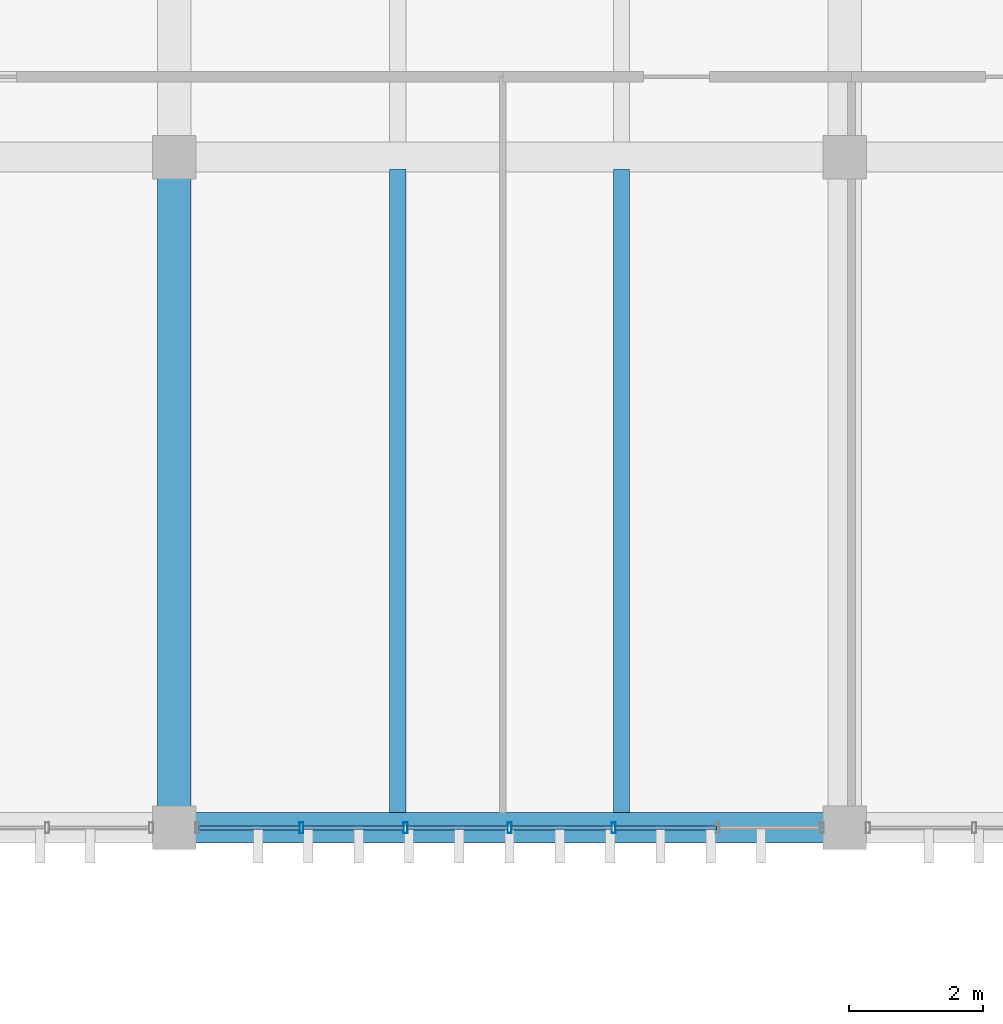
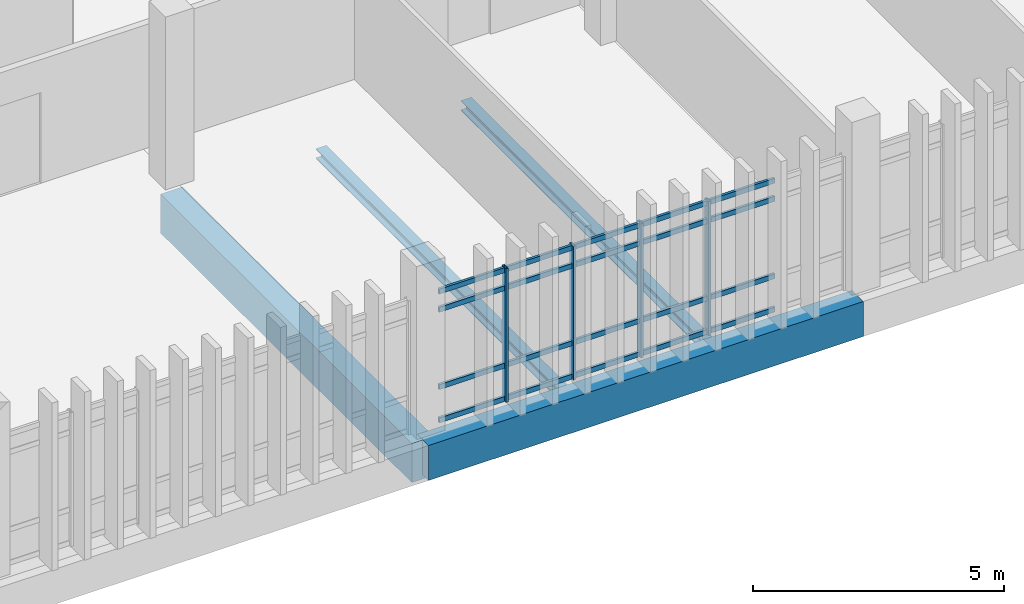
# One storey, part 26 of 82: 24 members, 4 beams, 1 element without a shape of its own.
"""IFC4 building model written with IfcOpenShell, lengths in metres."""

from ifc_helpers import new_model, si_unit, direction, frame, origin, origin_2d, place, context, subcontext, project, spatial, rectangle, hollow_rectangle, i_section, extrude, material, layer, layer_set, material_profile, profile_set, type_object, element, aggregate, save


model = new_model("IFC4")

# Units and contexts
model_context = context("Model", 3, precision=1e-05, world=origin(), true_north=direction((0.0, 1.0)))
body_context = subcontext(model_context, "Body", "Model", "MODEL_VIEW")
ifc_project = project(units=[si_unit("LENGTHUNIT", "METRE"), si_unit("AREAUNIT", "SQUARE_METRE"), si_unit("VOLUMEUNIT", "CUBIC_METRE"), si_unit("PLANEANGLEUNIT", "RADIAN"), si_unit("MASSUNIT", "GRAM", prefix="KILO")], contexts=[model_context])

# Site, building, storey
site_placement = place(None, origin())
site = spatial("IfcSite", under=ifc_project, at=site_placement, CompositionType="ELEMENT")
building_placement = place(site_placement, origin())
building = spatial("IfcBuilding", under=site, at=building_placement, Name="Mersad Railyard Sports Hall", CompositionType="ELEMENT")
storey_placement = place(building_placement, frame((0.0, 0.0, 13.199951171875)))
storey = spatial("IfcBuildingStorey", under=building, at=storey_placement, Name="L03", CompositionType="ELEMENT", Elevation=13.199951171875)

# Curtain wall, members
ifc_material_1 = material(Name="Aluminium 6063-T6", Category="aluminium")
ifc_layer = layer(ifc_material_1, 0.159912109375)
ifc_layer_set = layer_set([ifc_layer], Name="Aluminium 6063-T6")
curtain_wall_type = type_object("IfcCurtainWallType", Name="ARC-CW-CW60", PredefinedType="USERDEFINED", material=ifc_layer_set)
curtain_wall_placement = place(storey_placement, origin())
curtain_wall = element("IfcCurtainWall", 1, at=curtain_wall_placement, inside=storey, type_object=curtain_wall_type, Name="Curtain wall CW60-0160", ObjectType="CURTAIN WALL", PredefinedType="USERDEFINED")
ifc_material_profile_1 = material_profile(ifc_material_1, hollow_rectangle(XDim=0.06005859375, YDim=0.159912109375, WallThickness=0.00390625, at=origin_2d()), Name="AL MULLION 60x160x4")
ifc_profile_set_1 = profile_set([ifc_material_profile_1], Name="Aluminium 6063-T6")
member_type_1 = type_object("IfcMemberType", Name="ARC-CW-MUL01", PredefinedType="MULLION", material=ifc_profile_set_1)
member_1_placement = place(storey_placement, frame((117.5517578125, 85.0, -0.02001953125), z_axis=(0.0, 0.0, 1.0), x_axis=(1.0, 0.0, 0.0)))
member_1 = element("IfcMember", 2, at=member_1_placement, type_object=member_type_1, Name="CW60 Mullion 3", PredefinedType="MULLION", context=body_context, shape_type="SweptSolid", body=[
    extrude(hollow_rectangle(XDim=0.06005859375, YDim=0.159912109375, WallThickness=0.00390625, at=origin_2d()), origin(), (0.0, 0.0, 1.0), 3.25),
])
member_2_placement = place(storey_placement, frame((116.0, 85.0, -0.02001953125), z_axis=(0.0, 0.0, 1.0), x_axis=(1.0, 0.0, 0.0)))
member_2 = element("IfcMember", 3, at=member_2_placement, type_object=member_type_1, Name="CW60 Mullion 4", PredefinedType="MULLION", context=body_context, shape_type="SweptSolid", body=[
    extrude(hollow_rectangle(XDim=0.06005859375, YDim=0.159912109375, WallThickness=0.00390625, at=origin_2d()), origin(), (0.0, 0.0, 1.0), 3.25),
])
member_3_placement = place(storey_placement, frame((114.4482421875, 85.0, -0.02001953125), z_axis=(0.0, 0.0, 1.0), x_axis=(1.0, 0.0, 0.0)))
member_3 = element("IfcMember", 4, at=member_3_placement, type_object=member_type_1, Name="CW60 Mullion 5", PredefinedType="MULLION", context=body_context, shape_type="SweptSolid", body=[
    extrude(hollow_rectangle(XDim=0.06005859375, YDim=0.159912109375, WallThickness=0.00390625, at=origin_2d()), origin(), (0.0, 0.0, 1.0), 3.25),
])
member_4_placement = place(storey_placement, frame((112.896728515625, 85.0, -0.02001953125), z_axis=(0.0, 0.0, 1.0), x_axis=(1.0, 0.0, 0.0)))
member_4 = element("IfcMember", 5, at=member_4_placement, type_object=member_type_1, Name="CW60 Mullion 6", PredefinedType="MULLION", context=body_context, shape_type="SweptSolid", body=[
    extrude(hollow_rectangle(XDim=0.06005859375, YDim=0.159912109375, WallThickness=0.00390625, at=origin_2d()), origin(), (0.0, 0.0, 1.0), 3.25),
])
ifc_material_profile_2 = material_profile(ifc_material_1, hollow_rectangle(XDim=0.06005859375, YDim=0.1201171875, WallThickness=0.00390625, at=origin_2d()), Name="AL TRANSOM 60x120x4")
ifc_profile_set_2 = profile_set([ifc_material_profile_2], Name="Aluminium 6063-T6")
member_type_2 = type_object("IfcMemberType", Name="ARC-CW-TRN01", PredefinedType="USERDEFINED", material=ifc_profile_set_2)
member_5_placement = place(storey_placement, frame((119.083251953125, 85.0, 0.0400390625), z_axis=(-1.0, 0.0, 0.0), x_axis=(0.0, -1.0, 0.0)))
member_5 = element("IfcMember", 6, at=member_5_placement, type_object=member_type_2, Name="CW60 Transom 1-2", ObjectType="TRANSOM", PredefinedType="USERDEFINED", context=body_context, shape_type="SweptSolid", body=[
    extrude(hollow_rectangle(XDim=0.06005859375, YDim=0.1201171875, WallThickness=0.00390625, at=origin_2d()), origin(), (0.0, 0.0, 1.0), 1.511474609375),
])
member_6_placement = place(storey_placement, frame((117.53173828125, 85.0, 0.0400390625), z_axis=(-1.0, 0.0, 0.0), x_axis=(0.0, -1.0, 0.0)))
member_6 = element("IfcMember", 7, at=member_6_placement, type_object=member_type_2, Name="CW60 Transom 1-3", ObjectType="TRANSOM", PredefinedType="USERDEFINED", context=body_context, shape_type="SweptSolid", body=[
    extrude(hollow_rectangle(XDim=0.06005859375, YDim=0.1201171875, WallThickness=0.00390625, at=origin_2d()), origin(), (0.0, 0.0, 1.0), 1.51171875),
])
member_7_placement = place(storey_placement, frame((115.97998046875, 85.0, 0.0400390625), z_axis=(-1.0, 0.0, 0.0), x_axis=(0.0, -1.0, 0.0)))
member_7 = element("IfcMember", 8, at=member_7_placement, type_object=member_type_2, Name="CW60 Transom 1-4", ObjectType="TRANSOM", PredefinedType="USERDEFINED", context=body_context, shape_type="SweptSolid", body=[
    extrude(hollow_rectangle(XDim=0.06005859375, YDim=0.1201171875, WallThickness=0.00390625, at=origin_2d()), origin(), (0.0, 0.0, 1.0), 1.51171875),
])
member_8_placement = place(storey_placement, frame((114.42822265625, 85.0, 0.0400390625), z_axis=(-1.0, 0.0, 0.0), x_axis=(0.0, -1.0, 0.0)))
member_8 = element("IfcMember", 9, at=member_8_placement, type_object=member_type_2, Name="CW60 Transom 1-5", ObjectType="TRANSOM", PredefinedType="USERDEFINED", context=body_context, shape_type="SweptSolid", body=[
    extrude(hollow_rectangle(XDim=0.06005859375, YDim=0.1201171875, WallThickness=0.00390625, at=origin_2d()), origin(), (0.0, 0.0, 1.0), 1.511474609375),
])
member_9_placement = place(storey_placement, frame((112.876708984375, 85.0, 0.0400390625), z_axis=(-1.0, 0.0, 0.0), x_axis=(0.0, -1.0, 0.0)))
member_9 = element("IfcMember", 10, at=member_9_placement, type_object=member_type_2, Name="CW60 Transom 1-6", ObjectType="TRANSOM", PredefinedType="USERDEFINED", context=body_context, shape_type="SweptSolid", body=[
    extrude(hollow_rectangle(XDim=0.06005859375, YDim=0.1201171875, WallThickness=0.00390625, at=origin_2d()), origin(), (0.0, 0.0, 1.0), 1.51171875),
])
member_10_placement = place(storey_placement, frame((119.083251953125, 85.0, 0.85009765625), z_axis=(-1.0, 0.0, 0.0), x_axis=(0.0, -1.0, 0.0)))
member_10 = element("IfcMember", 11, at=member_10_placement, type_object=member_type_2, Name="CW60 Transom 2-2", ObjectType="TRANSOM", PredefinedType="USERDEFINED", context=body_context, shape_type="SweptSolid", body=[
    extrude(hollow_rectangle(XDim=0.06005859375, YDim=0.1201171875, WallThickness=0.00390625, at=origin_2d()), origin(), (0.0, 0.0, 1.0), 1.511474609375),
])
member_11_placement = place(storey_placement, frame((117.53173828125, 85.0, 0.85009765625), z_axis=(-1.0, 0.0, 0.0), x_axis=(0.0, -1.0, 0.0)))
member_11 = element("IfcMember", 12, at=member_11_placement, type_object=member_type_2, Name="CW60 Transom 2-3", ObjectType="TRANSOM", PredefinedType="USERDEFINED", context=body_context, shape_type="SweptSolid", body=[
    extrude(hollow_rectangle(XDim=0.06005859375, YDim=0.1201171875, WallThickness=0.00390625, at=origin_2d()), origin(), (0.0, 0.0, 1.0), 1.51171875),
])
member_12_placement = place(storey_placement, frame((115.97998046875, 85.0, 0.85009765625), z_axis=(-1.0, 0.0, 0.0), x_axis=(0.0, -1.0, 0.0)))
member_12 = element("IfcMember", 13, at=member_12_placement, type_object=member_type_2, Name="CW60 Transom 2-4", ObjectType="TRANSOM", PredefinedType="USERDEFINED", context=body_context, shape_type="SweptSolid", body=[
    extrude(hollow_rectangle(XDim=0.06005859375, YDim=0.1201171875, WallThickness=0.00390625, at=origin_2d()), origin(), (0.0, 0.0, 1.0), 1.51171875),
])
member_13_placement = place(storey_placement, frame((114.42822265625, 85.0, 0.85009765625), z_axis=(-1.0, 0.0, 0.0), x_axis=(0.0, -1.0, 0.0)))
member_13 = element("IfcMember", 14, at=member_13_placement, type_object=member_type_2, Name="CW60 Transom 2-5", ObjectType="TRANSOM", PredefinedType="USERDEFINED", context=body_context, shape_type="SweptSolid", body=[
    extrude(hollow_rectangle(XDim=0.06005859375, YDim=0.1201171875, WallThickness=0.00390625, at=origin_2d()), origin(), (0.0, 0.0, 1.0), 1.511474609375),
])
member_14_placement = place(storey_placement, frame((112.876708984375, 85.0, 0.85009765625), z_axis=(-1.0, 0.0, 0.0), x_axis=(0.0, -1.0, 0.0)))
member_14 = element("IfcMember", 15, at=member_14_placement, type_object=member_type_2, Name="CW60 Transom 2-6", ObjectType="TRANSOM", PredefinedType="USERDEFINED", context=body_context, shape_type="SweptSolid", body=[
    extrude(hollow_rectangle(XDim=0.06005859375, YDim=0.1201171875, WallThickness=0.00390625, at=origin_2d()), origin(), (0.0, 0.0, 1.0), 1.51171875),
])
member_15_placement = place(storey_placement, frame((119.083251953125, 85.0, 2.72998046875), z_axis=(-1.0, 0.0, 0.0), x_axis=(0.0, -1.0, 0.0)))
member_15 = element("IfcMember", 16, at=member_15_placement, type_object=member_type_2, Name="CW60 Transom 3-2", ObjectType="TRANSOM", PredefinedType="USERDEFINED", context=body_context, shape_type="SweptSolid", body=[
    extrude(hollow_rectangle(XDim=0.06005859375, YDim=0.1201171875, WallThickness=0.00390625, at=origin_2d()), origin(), (0.0, 0.0, 1.0), 1.511474609375),
])
member_16_placement = place(storey_placement, frame((117.53173828125, 85.0, 2.72998046875), z_axis=(-1.0, 0.0, 0.0), x_axis=(0.0, -1.0, 0.0)))
member_16 = element("IfcMember", 17, at=member_16_placement, type_object=member_type_2, Name="CW60 Transom 3-3", ObjectType="TRANSOM", PredefinedType="USERDEFINED", context=body_context, shape_type="SweptSolid", body=[
    extrude(hollow_rectangle(XDim=0.06005859375, YDim=0.1201171875, WallThickness=0.00390625, at=origin_2d()), origin(), (0.0, 0.0, 1.0), 1.51171875),
])
member_17_placement = place(storey_placement, frame((115.97998046875, 85.0, 2.72998046875), z_axis=(-1.0, 0.0, 0.0), x_axis=(0.0, -1.0, 0.0)))
member_17 = element("IfcMember", 18, at=member_17_placement, type_object=member_type_2, Name="CW60 Transom 3-4", ObjectType="TRANSOM", PredefinedType="USERDEFINED", context=body_context, shape_type="SweptSolid", body=[
    extrude(hollow_rectangle(XDim=0.06005859375, YDim=0.1201171875, WallThickness=0.00390625, at=origin_2d()), origin(), (0.0, 0.0, 1.0), 1.51171875),
])
member_18_placement = place(storey_placement, frame((114.42822265625, 85.0, 2.72998046875), z_axis=(-1.0, 0.0, 0.0), x_axis=(0.0, -1.0, 0.0)))
member_18 = element("IfcMember", 19, at=member_18_placement, type_object=member_type_2, Name="CW60 Transom 3-5", ObjectType="TRANSOM", PredefinedType="USERDEFINED", context=body_context, shape_type="SweptSolid", body=[
    extrude(hollow_rectangle(XDim=0.06005859375, YDim=0.1201171875, WallThickness=0.00390625, at=origin_2d()), origin(), (0.0, 0.0, 1.0), 1.511474609375),
])
member_19_placement = place(storey_placement, frame((112.876708984375, 85.0, 2.72998046875), z_axis=(-1.0, 0.0, 0.0), x_axis=(0.0, -1.0, 0.0)))
member_19 = element("IfcMember", 20, at=member_19_placement, type_object=member_type_2, Name="CW60 Transom 3-6", ObjectType="TRANSOM", PredefinedType="USERDEFINED", context=body_context, shape_type="SweptSolid", body=[
    extrude(hollow_rectangle(XDim=0.06005859375, YDim=0.1201171875, WallThickness=0.00390625, at=origin_2d()), origin(), (0.0, 0.0, 1.0), 1.51171875),
])
member_20_placement = place(storey_placement, frame((119.083251953125, 85.0, 3.170166015625), z_axis=(-1.0, 0.0, 0.0), x_axis=(0.0, -1.0, 0.0)))
member_20 = element("IfcMember", 21, at=member_20_placement, type_object=member_type_2, Name="CW60 Transom 4-2", ObjectType="TRANSOM", PredefinedType="USERDEFINED", context=body_context, shape_type="SweptSolid", body=[
    extrude(hollow_rectangle(XDim=0.06005859375, YDim=0.1201171875, WallThickness=0.00390625, at=origin_2d()), origin(), (0.0, 0.0, 1.0), 1.511474609375),
])
member_21_placement = place(storey_placement, frame((117.53173828125, 85.0, 3.170166015625), z_axis=(-1.0, 0.0, 0.0), x_axis=(0.0, -1.0, 0.0)))
member_21 = element("IfcMember", 22, at=member_21_placement, type_object=member_type_2, Name="CW60 Transom 4-3", ObjectType="TRANSOM", PredefinedType="USERDEFINED", context=body_context, shape_type="SweptSolid", body=[
    extrude(hollow_rectangle(XDim=0.06005859375, YDim=0.1201171875, WallThickness=0.00390625, at=origin_2d()), origin(), (0.0, 0.0, 1.0), 1.51171875),
])
member_22_placement = place(storey_placement, frame((115.97998046875, 85.0, 3.170166015625), z_axis=(-1.0, 0.0, 0.0), x_axis=(0.0, -1.0, 0.0)))
member_22 = element("IfcMember", 23, at=member_22_placement, type_object=member_type_2, Name="CW60 Transom 4-4", ObjectType="TRANSOM", PredefinedType="USERDEFINED", context=body_context, shape_type="SweptSolid", body=[
    extrude(hollow_rectangle(XDim=0.06005859375, YDim=0.1201171875, WallThickness=0.00390625, at=origin_2d()), origin(), (0.0, 0.0, 1.0), 1.51171875),
])
member_23_placement = place(storey_placement, frame((114.42822265625, 85.0, 3.170166015625), z_axis=(-1.0, 0.0, 0.0), x_axis=(0.0, -1.0, 0.0)))
member_23 = element("IfcMember", 24, at=member_23_placement, type_object=member_type_2, Name="CW60 Transom 4-5", ObjectType="TRANSOM", PredefinedType="USERDEFINED", context=body_context, shape_type="SweptSolid", body=[
    extrude(hollow_rectangle(XDim=0.06005859375, YDim=0.1201171875, WallThickness=0.00390625, at=origin_2d()), origin(), (0.0, 0.0, 1.0), 1.511474609375),
])
member_24_placement = place(storey_placement, frame((112.876708984375, 85.0, 3.170166015625), z_axis=(-1.0, 0.0, 0.0), x_axis=(0.0, -1.0, 0.0)))
member_24 = element("IfcMember", 25, at=member_24_placement, type_object=member_type_2, Name="CW60 Transom 4-6", ObjectType="TRANSOM", PredefinedType="USERDEFINED", context=body_context, shape_type="SweptSolid", body=[
    extrude(hollow_rectangle(XDim=0.06005859375, YDim=0.1201171875, WallThickness=0.00390625, at=origin_2d()), origin(), (0.0, 0.0, 1.0), 1.51171875),
])
aggregate(curtain_wall, [member_1, member_2, member_3, member_4, member_5, member_6, member_7, member_8, member_9, member_10, member_11, member_12, member_13, member_14, member_15, member_16, member_17, member_18, member_19, member_20, member_21, member_22, member_23, member_24])

# Beams
ifc_material_2 = material(Name="Concrete C40/50", Category="concrete")
ifc_material_profile_3 = material_profile(ifc_material_2, rectangle(XDim=0.449951171875, YDim=0.85009765625, at=origin_2d()), Name="RC 450x850")
ifc_profile_set_3 = profile_set([ifc_material_profile_3], Name="Concrete C40/50")
beam_type_1 = type_object("IfcBeamType", Name="STR-BM-B02", PredefinedType="BEAM", material=ifc_profile_set_3)
beam_1_placement = place(storey_placement, frame((111.0, 85.0, -0.744873046875), z_axis=(1.0, 0.0, 0.0), x_axis=(0.0, 1.0, 0.0)))
element("IfcBeam", 26, at=beam_1_placement, inside=storey, type_object=beam_type_1, Name="Beam B02-1218", PredefinedType="BEAM", context=body_context, shape_type="SweptSolid", body=[
    extrude(rectangle(XDim=0.449951171875, YDim=0.85009765625, at=origin_2d()), origin(), (0.0, 0.0, 1.0), 10.0),
])
ifc_material_3 = material(Name="Concrete C50/60", Category="concrete")
ifc_material_profile_4 = material_profile(ifc_material_3, rectangle(XDim=0.5, YDim=0.949951171875, at=origin_2d()), Name="RC 500x950")
ifc_profile_set_4 = profile_set([ifc_material_profile_4], Name="Concrete C50/60")
beam_type_2 = type_object("IfcBeamType", Name="STR-BM-B03", PredefinedType="BEAM", material=ifc_profile_set_4)
beam_2_placement = place(storey_placement, frame((111.0, 85.0, -0.794921875), z_axis=(0.0, 1.0, 0.0), x_axis=(-1.0, 0.0, 0.0)))
element("IfcBeam", 27, at=beam_2_placement, inside=storey, type_object=beam_type_2, Name="Beam B03-1262", PredefinedType="BEAM", context=body_context, shape_type="SweptSolid", body=[
    extrude(rectangle(XDim=0.5, YDim=0.949951171875, at=origin_2d()), origin(), (0.0, 0.0, 1.0), 10.0),
])
ifc_material_4 = material(Name="Steel S355", Category="steel")
ifc_material_profile_5 = material_profile(ifc_material_4, i_section(OverallWidth=0.239990234375, OverallDepth=0.239990234375, WebThickness=0.010009765625, FlangeThickness=0.01708984375, at=origin_2d()), Name="HEB 240")
ifc_profile_set_5 = profile_set([ifc_material_profile_5], Name="Steel S355")
beam_type_3 = type_object("IfcBeamType", Name="STR-BM-SB04", PredefinedType="BEAM", material=ifc_profile_set_5)
for number, where, z_axis, x_axis, name in (
    (28, (114.3330078125, 85.179931640625, -0.43994140625), (0.0, 1.0, 0.0), (-1.0, 0.0, 0.0), "Beam SB04-1304"),
    (29, (117.6669921875, 85.179931640625, -0.43994140625), (0.0, 1.0, 0.0), (-1.0, 0.0, 0.0), "Beam SB04-1305"),
):
    element("IfcBeam", number, at=place(storey_placement, frame(where, z_axis=z_axis, x_axis=x_axis)), inside=storey, type_object=beam_type_3, Name=name, PredefinedType="BEAM", context=body_context, shape_type="SweptSolid", body=[
        extrude(i_section(OverallWidth=0.239990234375, OverallDepth=0.239990234375, WebThickness=0.010009765625, FlangeThickness=0.01708984375, at=origin_2d()), origin(), (0.0, 0.0, 1.0), 9.64013671875),
    ])

save(model, "model.ifc")
